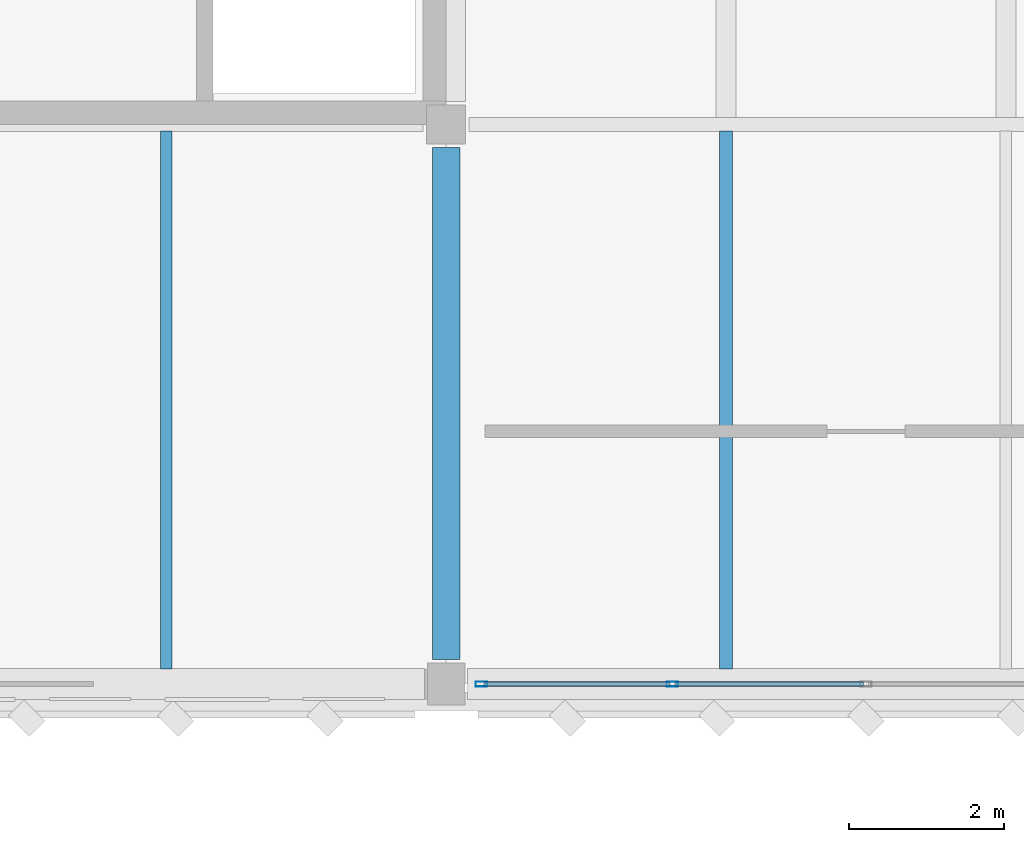
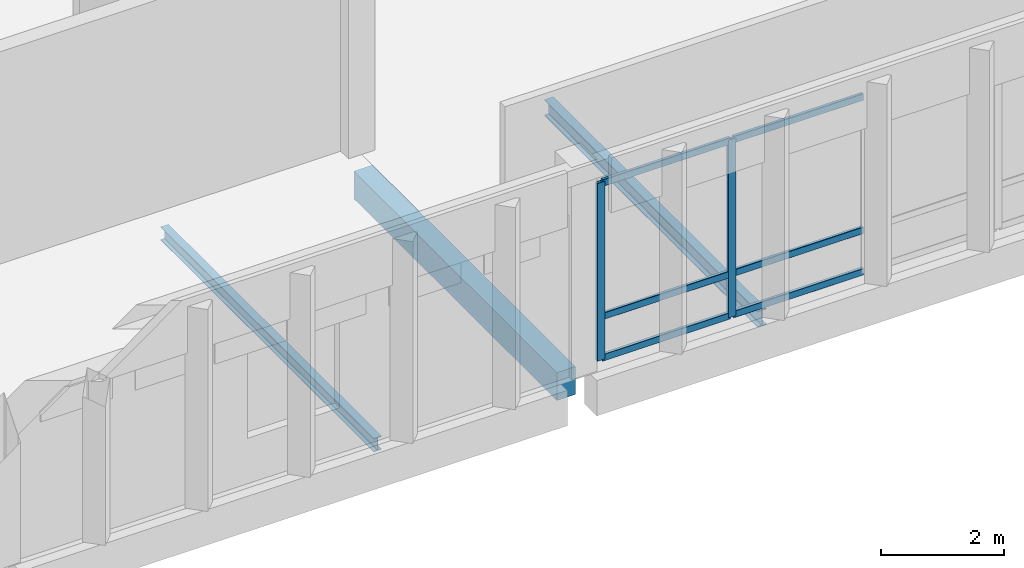
# One storey, part 32 of 72: 8 members, 3 beams, 1 element without a shape of its own.
"""IFC4 building model written with IfcOpenShell, lengths in metres."""

import ifcopenshell
import ifcopenshell.guid

model = None  # the IFC model being written
_history = None  # IfcOwnerHistory: only IFC2X3 demands one
_inside = {}  # id of a spatial element -> (the spatial element, [elements in it])
_under = {}  # id of a project, library or spatial element -> (it, [spatial elements below it])
_declared = {}  # id of a project -> (the project, [libraries it declares])
_typed = {}  # id of a type object -> (the type object, [elements of that type])
_made_of = {}  # id of a material, layer set ... -> (it, [elements and type objects made of it])


def new_model(schema):
    """Start an empty IFC model of exactly this schema.

    Asked for "IFC4X3", IfcOpenShell would pick the latest addendum, in which some entities
    have other attributes; the version numbers below select the first issue.
    IFC2X3 requires an IfcOwnerHistory on every rooted entity: one is made here for all.
    """
    global model, _history
    if schema == "IFC4X3":
        model = ifcopenshell.file(schema_version=(4, 3, 0, 0))
    else:
        model = ifcopenshell.file(schema=schema)
    _inside.clear()
    _under.clear()
    _declared.clear()
    _typed.clear()
    _made_of.clear()
    _history = None
    if model.schema == "IFC2X3":
        org = make("IfcOrganization", Name="unknown")
        user = make(
            "IfcPersonAndOrganization",
            ThePerson=make("IfcPerson", FamilyName="unknown"),
            TheOrganization=org,
        )
        app = make(
            "IfcApplication",
            ApplicationDeveloper=org,
            Version="unknown",
            ApplicationFullName="unknown",
            ApplicationIdentifier="unknown",
        )
        _history = make(
            "IfcOwnerHistory",
            OwningUser=user,
            OwningApplication=app,
            ChangeAction="ADDED",
            CreationDate=0,
        )
    return model


def make(cls, **values):
    """One entity of the class cls with the attributes given. An attribute that is None is left unset."""
    return model.create_entity(
        cls, **{name: value for name, value in values.items() if value is not None}
    )


def rooted(cls, **values):
    """An entity with a GlobalId (a new one), such as an element, a storey or a relation."""
    return make(cls, GlobalId=ifcopenshell.guid.new(), OwnerHistory=_history, **values)


def si_unit(unit_type, name, prefix=None):
    """IfcSIUnit, for example si_unit("LENGTHUNIT", "METRE", prefix="MILLI")."""
    return make("IfcSIUnit", UnitType=unit_type, Prefix=prefix, Name=name)


def assignment(units):
    """IfcUnitAssignment: the units of a project."""
    return None if units is None else make("IfcUnitAssignment", Units=units)


def point(xyz):
    """IfcCartesianPoint."""
    return None if xyz is None else make("IfcCartesianPoint", Coordinates=xyz)


def direction(xyz):
    """IfcDirection."""
    return None if xyz is None else make("IfcDirection", DirectionRatios=xyz)


def frame(location, z_axis=None, x_axis=None):
    """IfcAxis2Placement3D, a coordinate frame: its origin and axes. An axis left out is left unset."""
    return make(
        "IfcAxis2Placement3D",
        Location=point(location),
        Axis=direction(z_axis),
        RefDirection=direction(x_axis),
    )


def frame_2d(location, x_axis=None):
    """IfcAxis2Placement2D, a coordinate frame in the plane: its origin and x axis."""
    return make(
        "IfcAxis2Placement2D", Location=point(location), RefDirection=direction(x_axis)
    )


def origin():
    """The frame at (0, 0, 0) with its axes left unset."""
    return frame((0.0, 0.0, 0.0))


def origin_2d():
    """The frame at (0, 0) in the plane with its x axis left unset."""
    return frame_2d((0.0, 0.0))


def place(relative_to, where):
    """IfcLocalPlacement: puts the frame where relative to a parent placement (None: the world)."""
    return make(
        "IfcLocalPlacement", PlacementRelTo=relative_to, RelativePlacement=where
    )


def context(
    kind, dimensions, precision=None, world=None, true_north=None, identifier=None
):
    """IfcGeometricRepresentationContext, for example the 3D "Model" context."""
    return make(
        "IfcGeometricRepresentationContext",
        ContextIdentifier=identifier,
        ContextType=kind,
        CoordinateSpaceDimension=dimensions,
        Precision=precision,
        WorldCoordinateSystem=world,
        TrueNorth=true_north,
    )


def subcontext(parent, identifier, kind, view, scale=None):
    """IfcGeometricRepresentationSubContext, for example "Body" below "Model"."""
    return make(
        "IfcGeometricRepresentationSubContext",
        ContextIdentifier=identifier,
        ContextType=kind,
        ParentContext=parent,
        TargetScale=scale,
        TargetView=view,
    )


def project(units=None, contexts=None):
    """IfcProject with its units and contexts."""
    return rooted(
        "IfcProject",
        Name="project",
        RepresentationContexts=contexts,
        UnitsInContext=assignment(units),
    )


def spatial(cls, under=None, at=None, **own):
    """A site, building, storey or space (cls), placed at a placement, below another one or the project."""
    s = rooted(cls, ObjectPlacement=at, **own)
    if under is not None:
        _under.setdefault(under.id(), (under, []))[1].append(s)
    return s


def profile(cls, at=None, kind="AREA", **sizes):
    """A parametric profile (cls). Its sizes go by their IFC names, for example OverallWidth=200.0."""
    return make(cls, ProfileType=kind, Position=at, **sizes)


def rectangle(**sizes):
    """IfcRectangleProfileDef."""
    return profile("IfcRectangleProfileDef", **sizes)


def hollow_rectangle(**sizes):
    """IfcRectangleHollowProfileDef."""
    return profile("IfcRectangleHollowProfileDef", **sizes)


def i_section(**sizes):
    """IfcIShapeProfileDef."""
    return profile("IfcIShapeProfileDef", **sizes)


def extrude(swept, where, along, depth):
    """IfcExtrudedAreaSolid: the profile swept, set in the frame where, extruded along a direction by depth."""
    return make(
        "IfcExtrudedAreaSolid",
        SweptArea=swept,
        Position=where,
        ExtrudedDirection=direction(along),
        Depth=depth,
    )


def shape(context_of_items, identifier, shape_type, items):
    """IfcShapeRepresentation: the items that make up one representation, for example the "Body"."""
    return make(
        "IfcShapeRepresentation",
        ContextOfItems=context_of_items,
        RepresentationIdentifier=identifier,
        RepresentationType=shape_type,
        Items=items,
    )


def material(Name=None, Category=None):
    """IfcMaterial."""
    return make("IfcMaterial", Name=Name, Category=Category)


def material_profile(
    of_material, cross_section, Name=None, Category=None, Priority=None
):
    """IfcMaterialProfile: a cross section and its material."""
    return make(
        "IfcMaterialProfile",
        Name=Name,
        Material=of_material,
        Profile=cross_section,
        Priority=Priority,
        Category=Category,
    )


def profile_set(profiles, Name=None, composite=None):
    """IfcMaterialProfileSet."""
    return make(
        "IfcMaterialProfileSet",
        Name=Name,
        MaterialProfiles=profiles,
        CompositeProfile=composite,
    )


def made_of(thing, what):
    """Note that an element or type object is made of a material, layer set ...; save() writes the relation."""
    if what is not None:
        _made_of.setdefault(what.id(), (what, []))[1].append(thing)
    return thing


def type_object(cls, material=None, **own):
    """A type object (cls), such as IfcWallType, which elements share."""
    return made_of(rooted(cls, **own), material)


def element(
    cls,
    number,
    at=None,
    inside=None,
    cuts=None,
    type_object=None,
    material=None,
    context=None,
    identifier="Body",
    shape_type=None,
    held_by="IfcProductDefinitionShape",
    body=None,
    shapes=None,
    **own,
):
    """One element of the class cls, such as IfcWall. Its Tag is "e" and its number.

    at: its placement. inside: the storey or other place that contains it. cuts: it is an
    opening in that element (IfcRelVoidsElement). A single representation is given by context,
    identifier, shape_type and body (its items); several are given by shapes. held_by: the class
    of the entity that holds the representations. save() writes the other relations.
    """
    e = rooted(cls, Tag="e%d" % number, ObjectPlacement=at, **own)
    if body is not None:
        shapes = [shape(context, identifier, shape_type, body)]
    if shapes is not None:
        e.Representation = make(held_by, Representations=shapes)
    if inside is not None:
        _inside.setdefault(inside.id(), (inside, []))[1].append(e)
    if cuts is not None:
        rooted(
            "IfcRelVoidsElement", RelatingBuildingElement=cuts, RelatedOpeningElement=e
        )
    if type_object is not None:
        _typed.setdefault(type_object.id(), (type_object, []))[1].append(e)
    return made_of(e, material)


def aggregate(whole, parts):
    """IfcRelAggregates: a whole, such as a stair, and the parts it consists of."""
    return rooted("IfcRelAggregates", RelatingObject=whole, RelatedObjects=parts)


def save(model, path):
    """Write the relations noted so far, then the file.

    IfcRelAggregates (storeys below a building ...), IfcRelContainedInSpatialStructure (elements
    in a storey), IfcRelDefinesByType, IfcRelAssociatesMaterial and IfcRelDeclares: one each for
    every whole, place, type object, material and project.
    """
    for whole, parts in _under.values():
        aggregate(whole, parts)
    for where, things in _inside.values():
        rooted(
            "IfcRelContainedInSpatialStructure",
            RelatedElements=things,
            RelatingStructure=where,
        )
    for kind, things in _typed.values():
        rooted("IfcRelDefinesByType", RelatedObjects=things, RelatingType=kind)
    for what, things in _made_of.values():
        rooted("IfcRelAssociatesMaterial", RelatedObjects=things, RelatingMaterial=what)
    for by, libraries in _declared.values():
        rooted("IfcRelDeclares", RelatingContext=by, RelatedDefinitions=libraries)
    model.write(path)


model = new_model("IFC4")

# Units and contexts
model_context = context("Model", 3, precision=1e-05, world=origin(), true_north=direction((0.0, 1.0)))
body_context = subcontext(model_context, "Body", "Model", "MODEL_VIEW")
ifc_project = project(units=[si_unit("LENGTHUNIT", "METRE"), si_unit("AREAUNIT", "SQUARE_METRE"), si_unit("VOLUMEUNIT", "CUBIC_METRE"), si_unit("PLANEANGLEUNIT", "RADIAN"), si_unit("MASSUNIT", "GRAM", prefix="KILO")], contexts=[model_context])

# Site, building, storey
site_placement = place(None, origin())
site = spatial("IfcSite", under=ifc_project, at=site_placement, CompositionType="ELEMENT")
building_placement = place(site_placement, origin())
building = spatial("IfcBuilding", under=site, at=building_placement, Name="Lusvemor Sports Hall", CompositionType="ELEMENT")
storey_placement = place(building_placement, frame((0.0, 0.0, 15.0)))
storey = spatial("IfcBuildingStorey", under=building, at=storey_placement, Name="L03", CompositionType="ELEMENT", Elevation=15.0)

# Beam
ifc_material_1 = material(Name="Concrete C40/50", Category="concrete")
ifc_material_profile_1 = material_profile(ifc_material_1, rectangle(XDim=0.35009765625, YDim=0.550048828125, at=origin_2d()), Name="RC350x550")
ifc_profile_set_1 = profile_set([ifc_material_profile_1], Name="Concrete C40/50")
beam_type_1 = type_object("IfcBeamType", Name="BEAM_RC_550", PredefinedType="BEAM", material=ifc_profile_set_1)
beam_1_placement = place(storey_placement, frame((64.800048828125, 97.51611328125, -0.514892578125), z_axis=(0.0, 1.0, 0.0), x_axis=(-1.0, 0.0, 0.0)))
element("IfcBeam", 1, at=beam_1_placement, inside=storey, type_object=beam_type_1, Name="Beam L03 7:N-P", PredefinedType="BEAM", context=body_context, shape_type="SweptSolid", body=[
    extrude(rectangle(XDim=0.35009765625, YDim=0.550048828125, at=origin_2d()), origin(), (0.0, 0.0, 1.0), 6.587890625),
])

# Curtain wall, members
ifc_material_2 = material(Name="Thermally broken bronze-anodized aluminium", Category="aluminium")
curtain_wall_type = type_object("IfcCurtainWallType", Name="CW_WING_B", PredefinedType="NOTDEFINED", material=ifc_material_2)
curtain_wall_placement = place(storey_placement, origin())
curtain_wall = element("IfcCurtainWall", 2, at=curtain_wall_placement, inside=storey, type_object=curtain_wall_type, Name="Curtain Wall CW-L03-S-3-4", PredefinedType="NOTDEFINED")
ifc_material_3 = material(Name="Thermally broken bronze-anodized aluminium", Category="aluminium")
ifc_material_profile_2 = material_profile(ifc_material_3, hollow_rectangle(XDim=0.06494140625, YDim=0.14990234375, WallThickness=0.00390625, InnerFilletRadius=0.00390625, OuterFilletRadius=0.008056640625, at=origin_2d()), Name="CWMUL150x65x4")
ifc_profile_set_2 = profile_set([ifc_material_profile_2], Name="Thermally broken bronze-anodized aluminium")
member_type_1 = type_object("IfcMemberType", Name="CW_MUL_B", PredefinedType="MULLION", material=ifc_profile_set_2)
member_1_placement = place(storey_placement, frame((67.7099609375, 97.199951171875, 0.0), z_axis=(0.0, 0.0, 1.0), x_axis=(0.0, -1.0, 0.0)))
member_1 = element("IfcMember", 3, at=member_1_placement, type_object=member_type_1, Name="CW02 mullion 4", PredefinedType="MULLION", context=body_context, shape_type="SweptSolid", body=[
    extrude(hollow_rectangle(XDim=0.06494140625, YDim=0.14990234375, WallThickness=0.00390625, InnerFilletRadius=0.00390625, OuterFilletRadius=0.008056640625, at=origin_2d()), origin(), (0.0, 0.0, 1.0), 3.52001953125),
])
member_2_placement = place(storey_placement, frame((65.25244140625, 97.199951171875, 0.0), z_axis=(0.0, 0.0, 1.0), x_axis=(0.0, -1.0, 0.0)))
member_2 = element("IfcMember", 4, at=member_2_placement, type_object=member_type_1, Name="CW02 mullion 5", PredefinedType="MULLION", context=body_context, shape_type="SweptSolid", body=[
    extrude(hollow_rectangle(XDim=0.06494140625, YDim=0.14990234375, WallThickness=0.00390625, InnerFilletRadius=0.00390625, OuterFilletRadius=0.008056640625, at=origin_2d()), origin(), (0.0, 0.0, 1.0), 3.52001953125),
])
ifc_material_4 = material(Name="Thermally broken bronze-anodized aluminium", Category="aluminium")
ifc_material_profile_3 = material_profile(ifc_material_4, hollow_rectangle(XDim=0.06005859375, YDim=0.135009765625, WallThickness=0.00390625, InnerFilletRadius=0.00390625, OuterFilletRadius=0.008056640625, at=origin_2d()), Name="CWTRN135x60x4")
ifc_profile_set_3 = profile_set([ifc_material_profile_3], Name="Thermally broken bronze-anodized aluminium")
member_type_2 = type_object("IfcMemberType", Name="CW_TRN_B", PredefinedType="USERDEFINED", material=ifc_profile_set_3)
member_3_placement = place(storey_placement, frame((70.16748046875, 97.199951171875, 0.030029296875), z_axis=(-1.0, 0.0, 0.0), x_axis=(0.0, -1.0, 0.0)))
member_3 = element("IfcMember", 5, at=member_3_placement, type_object=member_type_2, Name="CW02 transom 3.1", ObjectType="TRANSOM", PredefinedType="USERDEFINED", context=body_context, shape_type="SweptSolid", body=[
    extrude(hollow_rectangle(XDim=0.06005859375, YDim=0.135009765625, WallThickness=0.00390625, InnerFilletRadius=0.00390625, OuterFilletRadius=0.008056640625, at=origin_2d()), origin(), (0.0, 0.0, 1.0), 2.425048828125),
])
member_4_placement = place(storey_placement, frame((70.16748046875, 97.199951171875, 0.85009765625), z_axis=(-1.0, 0.0, 0.0), x_axis=(0.0, -1.0, 0.0)))
member_4 = element("IfcMember", 6, at=member_4_placement, type_object=member_type_2, Name="CW02 transom 3.2", ObjectType="TRANSOM", PredefinedType="USERDEFINED", context=body_context, shape_type="SweptSolid", body=[
    extrude(hollow_rectangle(XDim=0.06005859375, YDim=0.135009765625, WallThickness=0.00390625, InnerFilletRadius=0.00390625, OuterFilletRadius=0.008056640625, at=origin_2d()), origin(), (0.0, 0.0, 1.0), 2.425048828125),
])
member_5_placement = place(storey_placement, frame((70.16748046875, 97.199951171875, 3.489990234375), z_axis=(-1.0, 0.0, 0.0), x_axis=(0.0, -1.0, 0.0)))
member_5 = element("IfcMember", 7, at=member_5_placement, type_object=member_type_2, Name="CW02 transom 3.3", ObjectType="TRANSOM", PredefinedType="USERDEFINED", context=body_context, shape_type="SweptSolid", body=[
    extrude(hollow_rectangle(XDim=0.06005859375, YDim=0.135009765625, WallThickness=0.00390625, InnerFilletRadius=0.00390625, OuterFilletRadius=0.008056640625, at=origin_2d()), origin(), (0.0, 0.0, 1.0), 2.425048828125),
])
member_6_placement = place(storey_placement, frame((67.677490234375, 97.199951171875, 0.030029296875), z_axis=(-1.0, 0.0, 0.0), x_axis=(0.0, -1.0, 0.0)))
member_6 = element("IfcMember", 8, at=member_6_placement, type_object=member_type_2, Name="CW02 transom 4.1", ObjectType="TRANSOM", PredefinedType="USERDEFINED", context=body_context, shape_type="SweptSolid", body=[
    extrude(hollow_rectangle(XDim=0.06005859375, YDim=0.135009765625, WallThickness=0.00390625, InnerFilletRadius=0.00390625, OuterFilletRadius=0.008056640625, at=origin_2d()), origin(), (0.0, 0.0, 1.0), 2.392578125),
])
member_7_placement = place(storey_placement, frame((67.677490234375, 97.199951171875, 0.85009765625), z_axis=(-1.0, 0.0, 0.0), x_axis=(0.0, -1.0, 0.0)))
member_7 = element("IfcMember", 9, at=member_7_placement, type_object=member_type_2, Name="CW02 transom 4.2", ObjectType="TRANSOM", PredefinedType="USERDEFINED", context=body_context, shape_type="SweptSolid", body=[
    extrude(hollow_rectangle(XDim=0.06005859375, YDim=0.135009765625, WallThickness=0.00390625, InnerFilletRadius=0.00390625, OuterFilletRadius=0.008056640625, at=origin_2d()), origin(), (0.0, 0.0, 1.0), 2.392578125),
])
member_8_placement = place(storey_placement, frame((67.677490234375, 97.199951171875, 3.489990234375), z_axis=(-1.0, 0.0, 0.0), x_axis=(0.0, -1.0, 0.0)))
member_8 = element("IfcMember", 10, at=member_8_placement, type_object=member_type_2, Name="CW02 transom 4.3", ObjectType="TRANSOM", PredefinedType="USERDEFINED", context=body_context, shape_type="SweptSolid", body=[
    extrude(hollow_rectangle(XDim=0.06005859375, YDim=0.135009765625, WallThickness=0.00390625, InnerFilletRadius=0.00390625, OuterFilletRadius=0.008056640625, at=origin_2d()), origin(), (0.0, 0.0, 1.0), 2.392578125),
])
aggregate(curtain_wall, [member_1, member_2, member_3, member_4, member_5, member_6, member_7, member_8])

# Beams
ifc_material_5 = material(Name="Steel S355", Category="steel")
ifc_material_profile_4 = material_profile(ifc_material_5, i_section(OverallWidth=0.14794921875, OverallDepth=0.26611328125, WebThickness=0.007568359375, FlangeThickness=0.012939453125, FilletRadius=0.012939453125, at=origin_2d()), Name="W250x44.8")
ifc_profile_set_4 = profile_set([ifc_material_profile_4], Name="Steel S355")
beam_type_2 = type_object("IfcBeamType", Name="JOIST_ST_250M", PredefinedType="JOIST", material=ifc_profile_set_4)
beam_2_placement = place(storey_placement, frame((61.199951171875, 97.39599609375, -0.376953125), z_axis=(0.0, 1.0, 0.0), x_axis=(-1.0, 0.0, 0.0)))
element("IfcBeam", 11, at=beam_2_placement, inside=storey, type_object=beam_type_2, Name="Secondary Joist L03 6-7/N-P #2", PredefinedType="JOIST", context=body_context, shape_type="SweptSolid", body=[
    extrude(i_section(OverallWidth=0.14794921875, OverallDepth=0.26611328125, WebThickness=0.007568359375, FlangeThickness=0.012939453125, FilletRadius=0.012939453125, at=origin_2d()), origin(), (0.0, 0.0, 1.0), 6.91748046875),
])
ifc_material_6 = material(Name="Steel S355", Category="steel")
ifc_material_profile_5 = material_profile(ifc_material_6, i_section(OverallWidth=0.1669921875, OverallDepth=0.31689453125, WebThickness=0.007568359375, FlangeThickness=0.01318359375, FilletRadius=0.014892578125, at=origin_2d()), Name="W310x52.0")
ifc_profile_set_5 = profile_set([ifc_material_profile_5], Name="Steel S355")
beam_type_3 = type_object("IfcBeamType", Name="JOIST_ST_310M", PredefinedType="JOIST", material=ifc_profile_set_5)
beam_3_placement = place(storey_placement, frame((68.39990234375, 97.39599609375, -0.402587890625), z_axis=(0.0, 1.0, 0.0), x_axis=(-1.0, 0.0, 0.0)))
element("IfcBeam", 12, at=beam_3_placement, inside=storey, type_object=beam_type_3, Name="Secondary Joist L03 7-8/N-P #1", PredefinedType="JOIST", context=body_context, shape_type="SweptSolid", body=[
    extrude(i_section(OverallWidth=0.1669921875, OverallDepth=0.31689453125, WebThickness=0.007568359375, FlangeThickness=0.01318359375, FilletRadius=0.014892578125, at=origin_2d()), origin(), (0.0, 0.0, 1.0), 6.91748046875),
])

save(model, "model.ifc")
